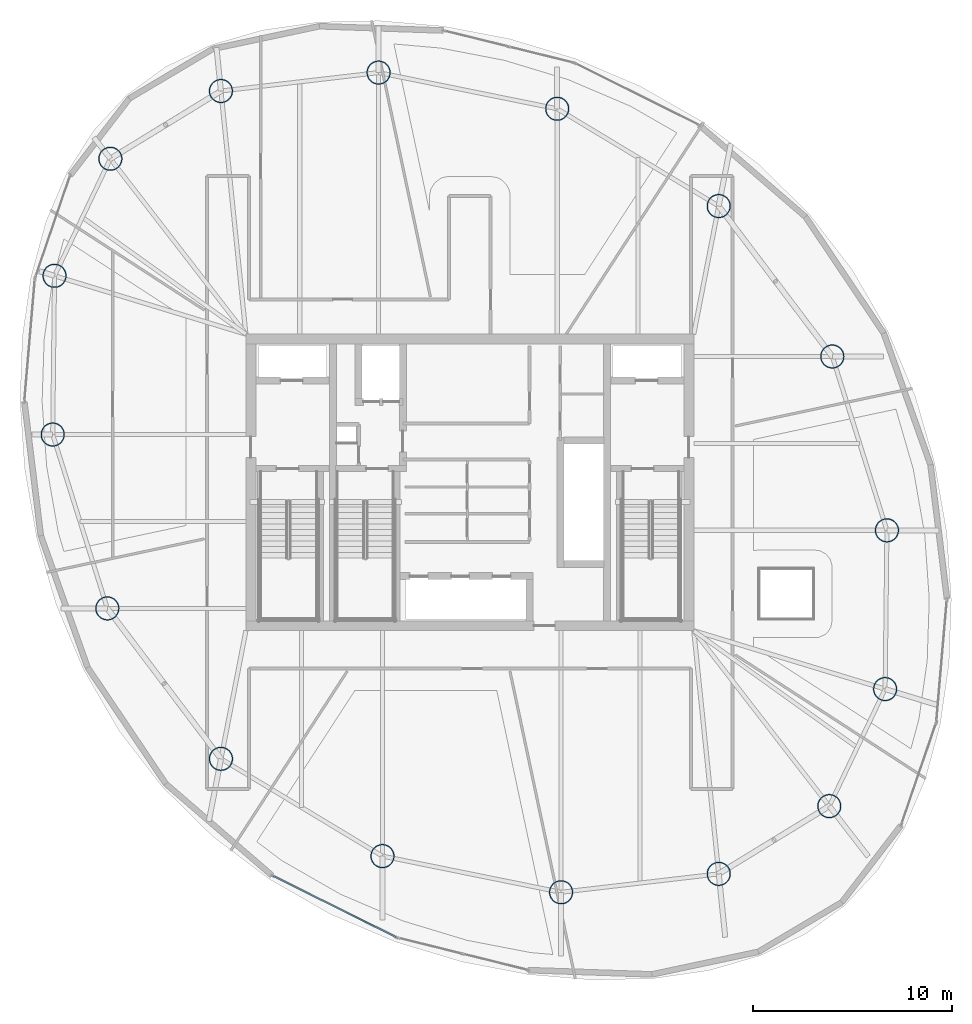
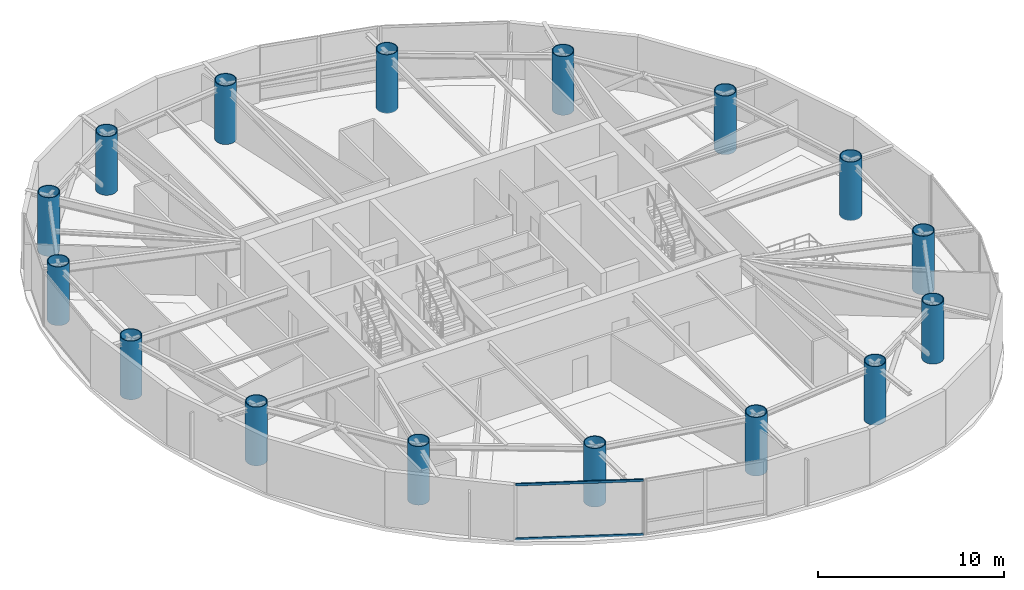
# One storey, part 1 of 22: 16 columns, 2 members, 1 element without a shape of its own.
"""IFC4 building model written with IfcOpenShell, lengths in metres."""

from ifc_helpers import new_model, si_unit, direction, frame, origin, origin_2d, place, context, subcontext, project, spatial, hollow_rectangle, hollow_circle, extrude, material, layer, layer_set, material_profile, profile_set, type_object, element, aggregate, save


model = new_model("IFC4")

# Units and contexts
model_context = context("Model", 3, precision=1e-05, world=origin(), true_north=direction((0.0, 1.0)))
body_context = subcontext(model_context, "Body", "Model", "MODEL_VIEW")
ifc_project = project(units=[si_unit("LENGTHUNIT", "METRE"), si_unit("AREAUNIT", "SQUARE_METRE"), si_unit("VOLUMEUNIT", "CUBIC_METRE"), si_unit("PLANEANGLEUNIT", "RADIAN"), si_unit("MASSUNIT", "GRAM", prefix="KILO")], contexts=[model_context])

# Site, building, storey
site_placement = place(None, origin())
site = spatial("IfcSite", under=ifc_project, at=site_placement, CompositionType="ELEMENT")
building_placement = place(site_placement, origin())
building = spatial("IfcBuilding", under=site, at=building_placement, Name="Bramvorn Convention Spire", CompositionType="ELEMENT")
storey_placement = place(building_placement, frame((0.0, 0.0, 225.10009765625)))
storey = spatial("IfcBuildingStorey", under=building, at=storey_placement, Name="L57", CompositionType="ELEMENT", Elevation=225.10009765625)

# Columns
ifc_material_1 = material(Name="Steel CSA G40.21 Grade 350 (350W)", Category="steel")
ifc_material_profile_1 = material_profile(ifc_material_1, hollow_circle(Radius=0.60009765625, WallThickness=0.050048828125, at=origin_2d()))
ifc_profile_set_1 = profile_set([ifc_material_profile_1], Name="Steel CSA G40.21 Grade 350 (350W) - CFT1200X50")
column_type = type_object("IfcColumnType", Name="COL-CFT1200X50", PredefinedType="COLUMN", material=ifc_profile_set_1)
for number, where, z_axis, x_axis, name in (
    (1, (56.058349609375, 9.739990234375, 0.0), (0.0, 0.0, 1.0), (1.0, 0.0, 0.0), "L57 composite CFT mega-column MC01"),
    (2, (58.863037109375, 15.619384765625, 0.0), (0.0, 0.0, 1.0), (1.0, 0.0, 0.0), "L57 composite CFT mega-column MC02"),
    (3, (58.95458984375, 23.593505859375, 0.0), (0.0, 0.0, 1.0), (1.0, 0.0, 0.0), "L57 composite CFT mega-column MC03"),
    (4, (56.21044921875, 32.327392578125, 0.0), (0.0, 0.0, 1.0), (1.0, 0.0, 0.0), "L57 composite CFT mega-column MC04"),
    (5, (50.501953125, 39.885009765625, 0.0), (0.0, 0.0, 1.0), (1.0, 0.0, 0.0), "L57 composite CFT mega-column MC05"),
    (6, (42.38916015625, 44.772216796875, 0.0), (0.0, 0.0, 1.0), (1.0, 0.0, 0.0), "L57 composite CFT mega-column MC06"),
    (7, (33.416259765625, 46.58837890625, 0.0), (0.0, 0.0, 1.0), (1.0, 0.0, 0.0), "L57 composite CFT mega-column MC07"),
    (8, (25.49560546875, 45.663818359375, 0.0), (0.0, 0.0, 1.0), (1.0, 0.0, 0.0), "L57 composite CFT mega-column MC08"),
    (9, (19.941650390625, 42.260009765625, 0.0), (0.0, 0.0, 1.0), (1.0, 0.0, 0.0), "L57 composite CFT mega-column MC09"),
    (10, (17.136962890625, 36.380615234375, 0.0), (0.0, 0.0, 1.0), (1.0, 0.0, 0.0), "L57 composite CFT mega-column MC10"),
    (11, (17.04541015625, 28.406494140625, 0.0), (0.0, 0.0, 1.0), (1.0, 0.0, 0.0), "L57 composite CFT mega-column MC11"),
    (12, (19.78955078125, 19.672607421875, 0.0), (0.0, 0.0, 1.0), (1.0, 0.0, 0.0), "L57 composite CFT mega-column MC12"),
    (13, (25.498046875, 12.114990234375, 0.0), (0.0, 0.0, 1.0), (1.0, 0.0, 0.0), "L57 composite CFT mega-column MC13"),
    (14, (33.61083984375, 7.227783203125, 0.0), (0.0, 0.0, 1.0), (1.0, 0.0, 0.0), "L57 composite CFT mega-column MC14"),
    (15, (42.583740234375, 5.41162109375, 0.0), (0.0, 0.0, 1.0), (1.0, 0.0, 0.0), "L57 composite CFT mega-column MC15"),
    (16, (50.50439453125, 6.336181640625, 0.0), (0.0, 0.0, 1.0), (1.0, 0.0, 0.0), "L57 composite CFT mega-column MC16"),
):
    element("IfcColumn", number, at=place(storey_placement, frame(where, z_axis=z_axis, x_axis=x_axis)), inside=storey, type_object=column_type, Name=name, PredefinedType="COLUMN", context=body_context, shape_type="SweptSolid", body=[
        extrude(hollow_circle(Radius=0.60009765625, WallThickness=0.050048828125, at=origin_2d()), origin(), (0.0, 0.0, 1.0), 3.849853515625),
    ])

# Curtain wall, members
ifc_material_2 = material(Name="Anodised Bronze Unitised Curtain Wall", Category="aluminium")
ifc_layer = layer(ifc_material_2, 0.179931640625)
ifc_layer_set = layer_set([ifc_layer], Name="Anodised Bronze Unitised Curtain Wall - CW-OFF-FRIT")
curtain_wall_type = type_object("IfcCurtainWallType", Name="CW-OFF-FRIT", PredefinedType="USERDEFINED", material=ifc_layer_set)
curtain_wall_placement = place(storey_placement, origin())
curtain_wall = element("IfcCurtainWall", 17, at=curtain_wall_placement, inside=storey, type_object=curtain_wall_type, Name="L57 fritted glass curtain wall 20", ObjectType="UNITISED CURTAIN WALL", PredefinedType="USERDEFINED")
ifc_material_3 = material(Name="Anodised Bronze Aluminium 6063-T6", Category="aluminium")
ifc_material_profile_2 = material_profile(ifc_material_3, hollow_rectangle(XDim=0.080078125, YDim=0.159912109375, WallThickness=0.00390625, InnerFilletRadius=0.0009765625, OuterFilletRadius=0.00390625, at=origin_2d()))
ifc_profile_set_2 = profile_set([ifc_material_profile_2], Name="Anodised Bronze Aluminium 6063-T6 - CWT80X160")
member_type = type_object("IfcMemberType", Name="CW-TRN-150", PredefinedType="USERDEFINED", material=ifc_profile_set_2)
member_1_placement = place(storey_placement, frame((34.289794921875, 3.156982421875, 0.02978515625), z_axis=(-0.895239788692, 0.445584695364, 0.0), x_axis=(-0.445584695364, -0.895239788692, 0.0)))
member_1 = element("IfcMember", 18, at=member_1_placement, type_object=member_type, Name="CW3 transom 1.1", ObjectType="TRANSOM", PredefinedType="USERDEFINED", context=body_context, shape_type="SweptSolid", body=[
    extrude(hollow_rectangle(XDim=0.080078125, YDim=0.159912109375, WallThickness=0.00390625, InnerFilletRadius=0.0009765625, OuterFilletRadius=0.00390625, at=origin_2d()), origin(), (0.0, 0.0, 1.0), 6.897705078125),
])
member_2_placement = place(storey_placement, frame((34.289794921875, 3.156982421875, 3.58984375), z_axis=(-0.895239788692, 0.445584695364, 0.0), x_axis=(-0.445584695364, -0.895239788692, 0.0)))
member_2 = element("IfcMember", 19, at=member_2_placement, type_object=member_type, Name="CW3 transom 1.2", ObjectType="TRANSOM", PredefinedType="USERDEFINED", context=body_context, shape_type="SweptSolid", body=[
    extrude(hollow_rectangle(XDim=0.080078125, YDim=0.159912109375, WallThickness=0.00390625, InnerFilletRadius=0.0009765625, OuterFilletRadius=0.00390625, at=origin_2d()), origin(), (0.0, 0.0, 1.0), 6.897705078125),
])
aggregate(curtain_wall, [member_1, member_2])

save(model, "model.ifc")
